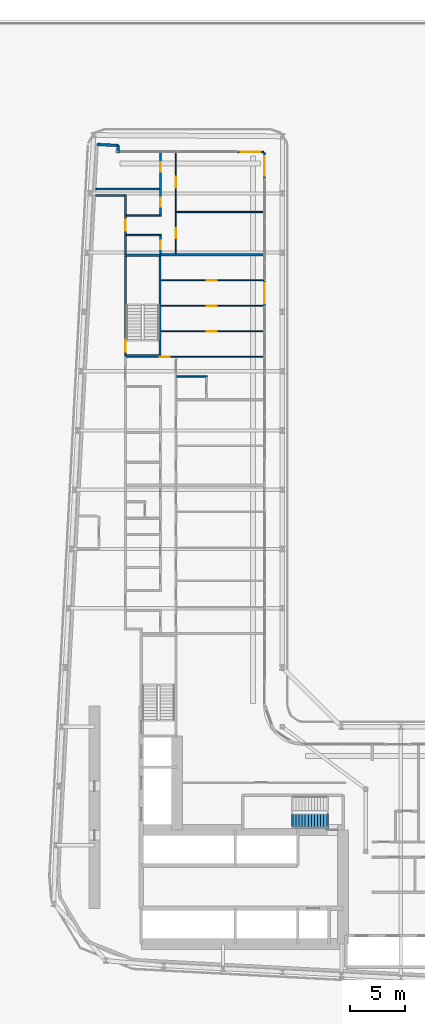
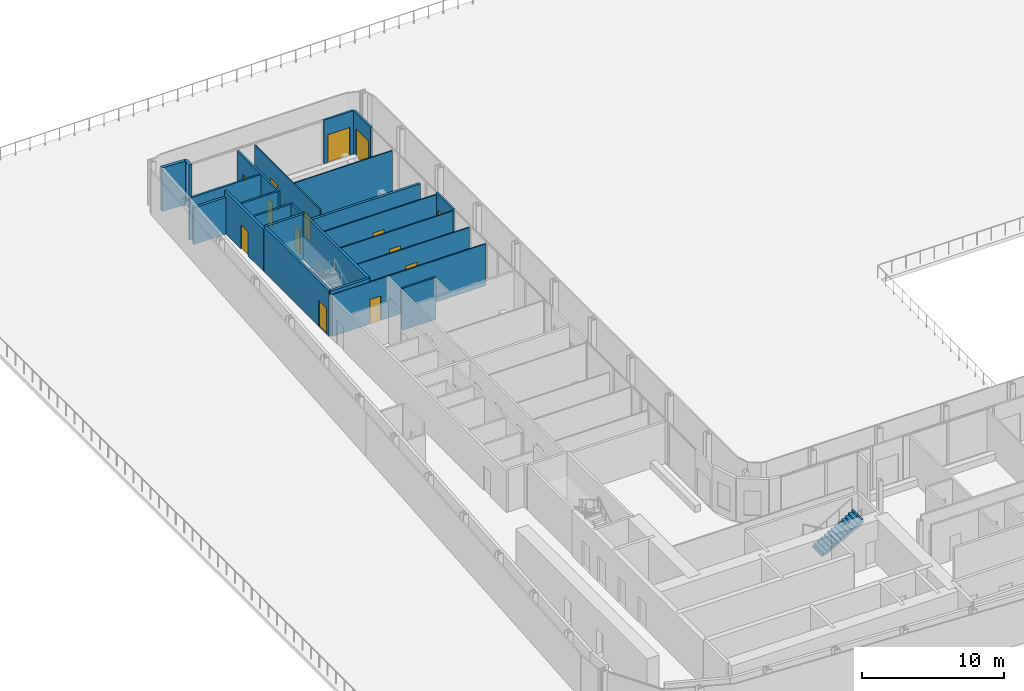
# One storey, part 18 of 27: 24 walls, 14 doors, 1 stair flight, 14 openings, 1 element without a shape of its own.
"""IFC4 building model written with IfcOpenShell, lengths in metres."""

from ifc_helpers import new_model, si_unit, direction, frame, frame_2d, origin, place, context, subcontext, project, spatial, polyline, rectangle, outline, extrude, source, transform, mapped, material, layer, layer_set, type_object, element, fill, aggregate, save


model = new_model("IFC4")

# Units and contexts
model_context = context("Model", 3, precision=1e-05, world=origin(), true_north=direction((0.0, 1.0)))
body_context = subcontext(model_context, "Body", "Model", "MODEL_VIEW")
ifc_project = project(units=[si_unit("LENGTHUNIT", "METRE"), si_unit("AREAUNIT", "SQUARE_METRE"), si_unit("VOLUMEUNIT", "CUBIC_METRE"), si_unit("PLANEANGLEUNIT", "RADIAN"), si_unit("MASSUNIT", "GRAM", prefix="KILO")], contexts=[model_context])

# Site, building, storey
site_placement = place(None, origin())
site = spatial("IfcSite", under=ifc_project, at=site_placement, CompositionType="ELEMENT")
building_placement = place(site_placement, origin())
building = spatial("IfcBuilding", under=site, at=building_placement, Name="Kheshtan School and Residences Tower", CompositionType="ELEMENT")
storey_placement = place(building_placement, frame((0.0, 0.0, 30.5)))
storey = spatial("IfcBuildingStorey", under=building, at=storey_placement, Name="L06", CompositionType="ELEMENT", Elevation=30.5)

# Wall
ifc_material_1 = material(Name="Gypsum board on steel studs with fire boards", Category="steel")
ifc_layer_1 = layer(ifc_material_1, 0.199951171875)
ifc_layer_set_1 = layer_set([ifc_layer_1], Name="Corridor wall 200")
wall_type_1 = type_object("IfcWallType", Name="Corridor wall 200", PredefinedType="PARTITIONING", material=ifc_layer_set_1)
wall_1_placement = place(storey_placement, frame((30.584716796875, 94.0, 0.0), z_axis=(0.0, 0.0, 1.0), x_axis=(1.0, 0.0, 0.0)))
element("IfcWall", 1, at=wall_1_placement, inside=storey, type_object=wall_type_1, Name="Partition L06-002", PredefinedType="PARTITIONING", context=body_context, shape_type="SweptSolid", body=[
    extrude(rectangle(XDim=2.615234375, YDim=0.199951171875, at=frame_2d((1.3076171875, 0.0))), origin(), (0.0, 0.0, 1.0), 3.14697265625),
])

# Wall, opening, door
wall_2_placement = place(storey_placement, frame((33.300048828125, 88.60009765625, 0.0), z_axis=(0.0, 0.0, 1.0), x_axis=(0.0, 1.0, 0.0)))
wall_2 = element("IfcWall", 2, at=wall_2_placement, inside=storey, type_object=wall_type_1, Name="Partition L06-004", PredefinedType="PARTITIONING", context=body_context, shape_type="SweptSolid", body=[
    extrude(rectangle(XDim=5.5, YDim=0.199951171875, at=frame_2d((2.75, 0.0))), origin(), (0.0, 0.0, 1.0), 3.60009765625),
])
opening_1_placement = place(wall_2_placement, frame((2.199951171875, 0.0, 0.0)))
opening_1 = element("IfcOpeningElement", 3, at=opening_1_placement, cuts=wall_2, Name="Opening D06-051", PredefinedType="OPENING", context=body_context, shape_type="SweptSolid", body=[
    extrude(rectangle(XDim=1.0, YDim=2.10009765625, at=frame_2d((0.5, 1.050048828125))), frame((0.0, 0.10986328125, 0.0), z_axis=(0.0, -1.0, 0.0), x_axis=(1.0, 0.0, 0.0)), (0.0, 0.0, 1.0), 0.219970703125),
])
ifc_material_2 = material(Name="Steel-framed fire-resisting door leaf", Category="steel")
door_type_1 = type_object("IfcDoorType", Name="Fire door FD30S 1000 x 2100", OperationType="SINGLE_SWING_LEFT", PredefinedType="DOOR", material=ifc_material_2)
shared_shape_1 = source(origin(), body_context, "Body", "SweptSolid", [
    extrude(rectangle(XDim=1.0, YDim=2.10009765625, at=frame_2d((0.5, 1.050048828125))), frame((0.0, 0.02490234375, 0.0), z_axis=(0.0, -1.0, 0.0), x_axis=(1.0, 0.0, 0.0)), (0.0, 0.0, 1.0), 0.050048828125),
])
door_1_placement = place(opening_1_placement, origin())
door_1 = element("IfcDoor", 4, at=door_1_placement, inside=storey, type_object=door_type_1, Name="Door D06-051", OperationType="SINGLE_SWING_LEFT", OverallHeight=2.10009765625, OverallWidth=1.0, PredefinedType="DOOR", context=body_context, shape_type="MappedRepresentation", body=[
    mapped(shared_shape_1, transform((0.0, 0.0, 0.0), x_axis=(1.0, 0.0, 0.0), y_axis=(0.0, 1.0, 0.0), z_axis=(0.0, 0.0, 1.0), scale=1.0)),
])
fill(opening_1, door_1)

# Walls
ifc_material_3 = material(Name="Concrete C40/50 with ceramic cladding and mineral wool insulation", Category="concrete")
ifc_layer_2 = layer(ifc_material_3, 0.25)
ifc_layer_set_2 = layer_set([ifc_layer_2], Name="External wall 250 ceramic clad")
wall_type_2 = type_object("IfcWallType", Name="External wall 250 ceramic clad", PredefinedType="SOLIDWALL", material=ifc_layer_set_2)
wall_3_placement = place(storey_placement, frame((30.705078125, 98.6640625, 0.0), z_axis=(0.0, 0.0, 1.0), x_axis=(0.998577785791, -0.053314216913, 0.0)))
element("IfcWall", 5, at=wall_3_placement, inside=storey, type_object=wall_type_2, Name="External wall L06 5", PredefinedType="SOLIDWALL", context=body_context, shape_type="SweptSolid", body=[
    extrude(rectangle(XDim=1.95068359375, YDim=0.25, at=frame_2d((0.975341796875, 0.0))), origin(), (0.0, 0.0, 1.0), 3.75),
])
wall_4_placement = place(storey_placement, frame((32.653076171875, 98.56005859375, 0.0), z_axis=(0.0, 0.0, 1.0), x_axis=(-0.054093451632, -0.998535877418, 0.0)))
element("IfcWall", 6, at=wall_4_placement, inside=storey, type_object=wall_type_2, Name="External wall L06 6", PredefinedType="SOLIDWALL", context=body_context, shape_type="SweptSolid", body=[
    extrude(rectangle(XDim=0.66796875, YDim=0.25, at=frame_2d((0.333984375, 0.0))), origin(), (0.0, 0.0, 1.0), 3.75),
])

# Wall, opening, door
ifc_material_4 = material(Name="Aluminium frame wall with insulated infill", Category="aluminium")
ifc_layer_3 = layer(ifc_material_4, 0.14990234375)
ifc_layer_set_3 = layer_set([ifc_layer_3], Name="Glazing frame wall 150")
wall_type_3 = type_object("IfcWallType", Name="Glazing frame wall 150", PredefinedType="SOLIDWALL", material=ifc_layer_set_3)
wall_5_placement = place(storey_placement, frame((43.5, 97.97509765625, 0.0), z_axis=(0.0, 0.0, 1.0), x_axis=(1.0, 0.0, 0.0)))
wall_5 = element("IfcWall", 7, at=wall_5_placement, inside=storey, type_object=wall_type_3, Name="Balcony door wall L06 7.1", PredefinedType="SOLIDWALL", context=body_context, shape_type="SweptSolid", body=[
    extrude(rectangle(XDim=2.39990234375, YDim=0.14990234375, at=frame_2d((1.199951171875, 0.0))), origin(), (0.0, 0.0, 1.0), 3.75),
])
opening_2_placement = place(wall_5_placement, frame((0.300048828125, 0.0, 0.0)))
opening_2 = element("IfcOpeningElement", 8, at=opening_2_placement, cuts=wall_5, Name="Opening BD", PredefinedType="OPENING", context=body_context, shape_type="SweptSolid", body=[
    extrude(rectangle(XDim=1.800048828125, YDim=2.39990234375, at=frame_2d((0.89990234375, 1.199951171875))), frame((0.0, 0.0849609375, 0.0), z_axis=(0.0, -1.0, 0.0), x_axis=(1.0, 0.0, 0.0)), (0.0, 0.0, 1.0), 0.169921875),
])
ifc_material_5 = material(Name="Clear low-e glass in thermally broken aluminium frame", Category="aluminium")
door_type_2 = type_object("IfcDoorType", Name="Balcony sliding door", OperationType="SLIDING_TO_LEFT", PredefinedType="DOOR", material=ifc_material_5)
shared_shape_2 = source(origin(), body_context, "Body", "SweptSolid", [
    extrude(rectangle(XDim=1.800048828125, YDim=2.39990234375, at=frame_2d((0.89990234375, 1.199951171875))), frame((0.0, 0.02490234375, 0.0), z_axis=(0.0, -1.0, 0.0), x_axis=(1.0, 0.0, 0.0)), (0.0, 0.0, 1.0), 0.050048828125),
])
door_2_placement = place(opening_2_placement, origin())
door_2 = element("IfcDoor", 9, at=door_2_placement, inside=storey, type_object=door_type_2, Name="Balcony door L06 7.1", OperationType="SLIDING_TO_LEFT", OverallHeight=2.39990234375, OverallWidth=1.800048828125, PredefinedType="DOOR", context=body_context, shape_type="MappedRepresentation", body=[
    mapped(shared_shape_2, transform((0.0, 0.0, 0.0), x_axis=(1.0, 0.0, 0.0), y_axis=(0.0, 1.0, 0.0), z_axis=(0.0, 0.0, 1.0), scale=1.0)),
])
fill(opening_2, door_2)

wall_6_placement = place(storey_placement, frame((45.97509765625, 97.89990234375, 0.0), z_axis=(0.0, 0.0, 1.0), x_axis=(0.0, -1.0, 0.0)))
wall_6 = element("IfcWall", 10, at=wall_6_placement, inside=storey, type_object=wall_type_3, Name="Balcony door wall L06 8.1", PredefinedType="SOLIDWALL", context=body_context, shape_type="SweptSolid", body=[
    extrude(rectangle(XDim=2.39990234375, YDim=0.14990234375, at=frame_2d((1.199951171875, 0.0))), origin(), (0.0, 0.0, 1.0), 3.75),
])
opening_3_placement = place(wall_6_placement, frame((0.300048828125, 0.0, 0.0)))
opening_3 = element("IfcOpeningElement", 11, at=opening_3_placement, cuts=wall_6, Name="Opening BD", PredefinedType="OPENING", context=body_context, shape_type="SweptSolid", body=[
    extrude(rectangle(XDim=1.800048828125, YDim=2.39990234375, at=frame_2d((0.89990234375, 1.199951171875))), frame((0.0, 0.0849609375, 0.0), z_axis=(0.0, -1.0, 0.0), x_axis=(1.0, 0.0, 0.0)), (0.0, 0.0, 1.0), 0.169921875),
])
door_3_placement = place(opening_3_placement, origin())
door_3 = element("IfcDoor", 12, at=door_3_placement, inside=storey, type_object=door_type_2, Name="Balcony door L06 8.1", OperationType="SLIDING_TO_LEFT", OverallHeight=2.39990234375, OverallWidth=1.800048828125, PredefinedType="DOOR", context=body_context, shape_type="MappedRepresentation", body=[
    mapped(shared_shape_2, transform((0.0, 0.0, 0.0), x_axis=(1.0, 0.0, 0.0), y_axis=(0.0, 1.0, 0.0), z_axis=(0.0, 0.0, 1.0), scale=1.0)),
])
fill(opening_3, door_3)

wall_7_placement = place(storey_placement, frame((45.97509765625, 86.305908203125, 0.0), z_axis=(0.0, 0.0, 1.0), x_axis=(0.0, -1.0, 0.0)))
wall_7 = element("IfcWall", 13, at=wall_7_placement, inside=storey, type_object=wall_type_3, Name="Balcony door wall L06 8.2", PredefinedType="SOLIDWALL", context=body_context, shape_type="SweptSolid", body=[
    extrude(rectangle(XDim=2.39990234375, YDim=0.14990234375, at=frame_2d((1.199951171875, 0.0))), origin(), (0.0, 0.0, 1.0), 3.75),
])
opening_4_placement = place(wall_7_placement, frame((0.300048828125, 0.0, 0.0)))
opening_4 = element("IfcOpeningElement", 14, at=opening_4_placement, cuts=wall_7, Name="Opening BD", PredefinedType="OPENING", context=body_context, shape_type="SweptSolid", body=[
    extrude(rectangle(XDim=1.800048828125, YDim=2.39990234375, at=frame_2d((0.89990234375, 1.199951171875))), frame((0.0, 0.0849609375, 0.0), z_axis=(0.0, -1.0, 0.0), x_axis=(1.0, 0.0, 0.0)), (0.0, 0.0, 1.0), 0.169921875),
])
door_4_placement = place(opening_4_placement, origin())
door_4 = element("IfcDoor", 15, at=door_4_placement, inside=storey, type_object=door_type_2, Name="Balcony door L06 8.2", OperationType="SLIDING_TO_LEFT", OverallHeight=2.39990234375, OverallWidth=1.800048828125, PredefinedType="DOOR", context=body_context, shape_type="MappedRepresentation", body=[
    mapped(shared_shape_2, transform((0.0, 0.0, 0.0), x_axis=(1.0, 0.0, 0.0), y_axis=(0.0, 1.0, 0.0), z_axis=(0.0, 0.0, 1.0), scale=1.0)),
])
fill(opening_4, door_4)

ifc_material_6 = material(Name="Gypsum board on steel studs", Category="steel")
ifc_layer_4 = layer(ifc_material_6, 0.10009765625)
ifc_layer_set_4 = layer_set([ifc_layer_4], Name="Gypsum partition 100")
wall_type_4 = type_object("IfcWallType", Name="Gypsum partition 100", PredefinedType="PARTITIONING", material=ifc_layer_set_4)
wall_8_placement = place(storey_placement, frame((33.39990234375, 79.300048828125, 0.0), z_axis=(0.0, 0.0, 1.0), x_axis=(1.0, 0.0, 0.0)))
wall_8 = element("IfcWall", 16, at=wall_8_placement, inside=storey, type_object=wall_type_4, Name="Partition L06-016", PredefinedType="PARTITIONING", context=body_context, shape_type="SweptSolid", body=[
    extrude(rectangle(XDim=12.5, YDim=0.10009765625, at=frame_2d((6.25, 0.0))), origin(), (0.0, 0.0, 1.0), 3.60009765625),
])
opening_5_placement = place(wall_8_placement, frame((3.052978515625, 0.0, 0.0)))
opening_5 = element("IfcOpeningElement", 17, at=opening_5_placement, cuts=wall_8, Name="Opening D06-045", PredefinedType="OPENING", context=body_context, shape_type="SweptSolid", body=[
    extrude(rectangle(XDim=0.89990234375, YDim=2.10009765625, at=frame_2d((0.449951171875, 1.050048828125))), frame((0.0, 0.06005859375, 0.0), z_axis=(0.0, -1.0, 0.0), x_axis=(1.0, 0.0, 0.0)), (0.0, 0.0, 1.0), 0.1201171875),
])
ifc_material_7 = material(Name="Veneered timber door leaf", Category="wood")
door_type_3 = type_object("IfcDoorType", Name="Door 900 x 2100", OperationType="SINGLE_SWING_LEFT", PredefinedType="DOOR", material=ifc_material_7)
shared_shape_3 = source(origin(), body_context, "Body", "SweptSolid", [
    extrude(rectangle(XDim=0.89990234375, YDim=2.10009765625, at=frame_2d((0.449951171875, 1.050048828125))), frame((0.0, 0.02490234375, 0.0), z_axis=(0.0, -1.0, 0.0), x_axis=(1.0, 0.0, 0.0)), (0.0, 0.0, 1.0), 0.050048828125),
])
door_5_placement = place(opening_5_placement, origin())
door_5 = element("IfcDoor", 18, at=door_5_placement, inside=storey, type_object=door_type_3, Name="Door D06-045", OperationType="SINGLE_SWING_LEFT", OverallHeight=2.10009765625, OverallWidth=0.89990234375, PredefinedType="DOOR", context=body_context, shape_type="MappedRepresentation", body=[
    mapped(shared_shape_3, transform((0.0, 0.0, 0.0), x_axis=(1.0, 0.0, 0.0), y_axis=(0.0, 1.0, 0.0), z_axis=(0.0, 0.0, 1.0), scale=1.0)),
])
fill(opening_5, door_5)

wall_9_placement = place(storey_placement, frame((36.549072265625, 81.625, 0.0), z_axis=(0.0, 0.0, 1.0), x_axis=(1.0, 0.0, 0.0)))
wall_9 = element("IfcWall", 19, at=wall_9_placement, inside=storey, type_object=wall_type_4, Name="Partition L06-029", PredefinedType="PARTITIONING", context=body_context, shape_type="SweptSolid", body=[
    extrude(rectangle(XDim=9.350830078125, YDim=0.10009765625, at=frame_2d((4.67529296875, 0.0))), origin(), (0.0, 0.0, 1.0), 3.60009765625),
])
opening_6_placement = place(wall_9_placement, frame((4.176025390625, 0.0, 0.0)))
opening_6 = element("IfcOpeningElement", 20, at=opening_6_placement, cuts=wall_9, Name="Opening D06-046", PredefinedType="OPENING", context=body_context, shape_type="SweptSolid", body=[
    extrude(rectangle(XDim=0.89990234375, YDim=2.10009765625, at=frame_2d((0.449951171875, 1.050048828125))), frame((0.0, 0.06005859375, 0.0), z_axis=(0.0, -1.0, 0.0), x_axis=(1.0, 0.0, 0.0)), (0.0, 0.0, 1.0), 0.1201171875),
])
door_6_placement = place(opening_6_placement, origin())
door_6 = element("IfcDoor", 21, at=door_6_placement, inside=storey, type_object=door_type_3, Name="Door D06-046", OperationType="SINGLE_SWING_RIGHT", OverallHeight=2.10009765625, OverallWidth=0.89990234375, PredefinedType="DOOR", context=body_context, shape_type="MappedRepresentation", body=[
    mapped(shared_shape_3, transform((0.0, 0.0, 0.0), x_axis=(1.0, 0.0, 0.0), y_axis=(0.0, 1.0, 0.0), z_axis=(0.0, 0.0, 1.0), scale=1.0)),
])
fill(opening_6, door_6)

wall_10_placement = place(storey_placement, frame((36.549072265625, 83.949951171875, 0.0), z_axis=(0.0, 0.0, 1.0), x_axis=(1.0, 0.0, 0.0)))
wall_10 = element("IfcWall", 22, at=wall_10_placement, inside=storey, type_object=wall_type_4, Name="Partition L06-030", PredefinedType="PARTITIONING", context=body_context, shape_type="SweptSolid", body=[
    extrude(rectangle(XDim=9.350830078125, YDim=0.10009765625, at=frame_2d((4.67529296875, 0.0))), origin(), (0.0, 0.0, 1.0), 3.60009765625),
])
opening_7_placement = place(wall_10_placement, frame((4.176025390625, 0.0, 0.0)))
opening_7 = element("IfcOpeningElement", 23, at=opening_7_placement, cuts=wall_10, Name="Opening D06-047", PredefinedType="OPENING", context=body_context, shape_type="SweptSolid", body=[
    extrude(rectangle(XDim=0.89990234375, YDim=2.10009765625, at=frame_2d((0.449951171875, 1.050048828125))), frame((0.0, 0.06005859375, 0.0), z_axis=(0.0, -1.0, 0.0), x_axis=(1.0, 0.0, 0.0)), (0.0, 0.0, 1.0), 0.1201171875),
])
door_7_placement = place(opening_7_placement, origin())
door_7 = element("IfcDoor", 24, at=door_7_placement, inside=storey, type_object=door_type_3, Name="Door D06-047", OperationType="SINGLE_SWING_RIGHT", OverallHeight=2.10009765625, OverallWidth=0.89990234375, PredefinedType="DOOR", context=body_context, shape_type="MappedRepresentation", body=[
    mapped(shared_shape_3, transform((0.0, 0.0, 0.0), x_axis=(1.0, 0.0, 0.0), y_axis=(0.0, 1.0, 0.0), z_axis=(0.0, 0.0, 1.0), scale=1.0)),
])
fill(opening_7, door_7)

wall_11_placement = place(storey_placement, frame((36.549072265625, 86.27490234375, 0.0), z_axis=(0.0, 0.0, 1.0), x_axis=(1.0, 0.0, 0.0)))
wall_11 = element("IfcWall", 25, at=wall_11_placement, inside=storey, type_object=wall_type_4, Name="Partition L06-031", PredefinedType="PARTITIONING", context=body_context, shape_type="SweptSolid", body=[
    extrude(rectangle(XDim=9.350830078125, YDim=0.10009765625, at=frame_2d((4.67529296875, 0.0))), origin(), (0.0, 0.0, 1.0), 3.60009765625),
])
opening_8_placement = place(wall_11_placement, frame((4.176025390625, 0.0, 0.0)))
opening_8 = element("IfcOpeningElement", 26, at=opening_8_placement, cuts=wall_11, Name="Opening D06-048", PredefinedType="OPENING", context=body_context, shape_type="SweptSolid", body=[
    extrude(rectangle(XDim=0.89990234375, YDim=2.10009765625, at=frame_2d((0.449951171875, 1.050048828125))), frame((0.0, 0.06005859375, 0.0), z_axis=(0.0, -1.0, 0.0), x_axis=(1.0, 0.0, 0.0)), (0.0, 0.0, 1.0), 0.1201171875),
])
door_8_placement = place(opening_8_placement, origin())
door_8 = element("IfcDoor", 27, at=door_8_placement, inside=storey, type_object=door_type_3, Name="Door D06-048", OperationType="SINGLE_SWING_RIGHT", OverallHeight=2.10009765625, OverallWidth=0.89990234375, PredefinedType="DOOR", context=body_context, shape_type="MappedRepresentation", body=[
    mapped(shared_shape_3, transform((0.0, 0.0, 0.0), x_axis=(1.0, 0.0, 0.0), y_axis=(0.0, 1.0, 0.0), z_axis=(0.0, 0.0, 1.0), scale=1.0)),
])
fill(opening_8, door_8)

# Wall, openings, doors
wall_12_placement = place(storey_placement, frame((37.89990234375, 88.699951171875, 0.0), z_axis=(0.0, 0.0, 1.0), x_axis=(0.0, 1.0, 0.0)))
wall_12 = element("IfcWall", 28, at=wall_12_placement, inside=storey, type_object=wall_type_4, Name="Partition L06-034", PredefinedType="PARTITIONING", context=body_context, shape_type="SweptSolid", body=[
    extrude(rectangle(XDim=9.199951171875, YDim=0.10009765625, at=frame_2d((4.60009765625, 0.0))), origin(), (0.0, 0.0, 1.0), 3.60009765625),
])
opening_9_placement = place(wall_12_placement, frame((1.39990234375, 0.0, 0.0)))
opening_9 = element("IfcOpeningElement", 29, at=opening_9_placement, cuts=wall_12, Name="Opening D06-050", PredefinedType="OPENING", context=body_context, shape_type="SweptSolid", body=[
    extrude(rectangle(XDim=0.89990234375, YDim=2.10009765625, at=frame_2d((0.449951171875, 1.050048828125))), frame((0.0, 0.06005859375, 0.0), z_axis=(0.0, -1.0, 0.0), x_axis=(1.0, 0.0, 0.0)), (0.0, 0.0, 1.0), 0.1201171875),
])
opening_10_placement = place(wall_12_placement, frame((6.0, 0.0, 0.0)))
opening_10 = element("IfcOpeningElement", 30, at=opening_10_placement, cuts=wall_12, Name="Opening D06-053", PredefinedType="OPENING", context=body_context, shape_type="SweptSolid", body=[
    extrude(rectangle(XDim=1.0, YDim=2.10009765625, at=frame_2d((0.5, 1.050048828125))), frame((0.0, 0.06005859375, 0.0), z_axis=(0.0, -1.0, 0.0), x_axis=(1.0, 0.0, 0.0)), (0.0, 0.0, 1.0), 0.1201171875),
])
door_type_4 = type_object("IfcDoorType", Name="Door 1000 x 2100", OperationType="SINGLE_SWING_LEFT", PredefinedType="DOOR", material=ifc_material_7)
shared_shape_4 = source(origin(), body_context, "Body", "SweptSolid", [
    extrude(rectangle(XDim=1.0, YDim=2.10009765625, at=frame_2d((0.5, 1.050048828125))), frame((0.0, 0.02490234375, 0.0), z_axis=(0.0, -1.0, 0.0), x_axis=(1.0, 0.0, 0.0)), (0.0, 0.0, 1.0), 0.050048828125),
])
door_9_placement = place(opening_10_placement, origin())
door_9 = element("IfcDoor", 31, at=door_9_placement, inside=storey, type_object=door_type_4, Name="Door D06-053", OperationType="SINGLE_SWING_RIGHT", OverallHeight=2.10009765625, OverallWidth=1.0, PredefinedType="DOOR", context=body_context, shape_type="MappedRepresentation", body=[
    mapped(shared_shape_4, transform((0.0, 0.0, 0.0), x_axis=(1.0, 0.0, 0.0), y_axis=(0.0, 1.0, 0.0), z_axis=(0.0, 0.0, 1.0), scale=1.0)),
])
fill(opening_10, door_9)
door_10_placement = place(opening_9_placement, origin())
door_10 = element("IfcDoor", 32, at=door_10_placement, inside=storey, type_object=door_type_3, Name="Door D06-050", OperationType="SINGLE_SWING_LEFT", OverallHeight=2.10009765625, OverallWidth=0.89990234375, PredefinedType="DOOR", context=body_context, shape_type="MappedRepresentation", body=[
    mapped(shared_shape_3, transform((0.0, 0.0, 0.0), x_axis=(1.0, 0.0, 0.0), y_axis=(0.0, 1.0, 0.0), z_axis=(0.0, 0.0, 1.0), scale=1.0)),
])
fill(opening_9, door_10)

# Walls
wall_13_placement = place(storey_placement, frame((37.949951171875, 92.5, 0.0), z_axis=(0.0, 0.0, 1.0), x_axis=(1.0, 0.0, 0.0)))
element("IfcWall", 33, at=wall_13_placement, inside=storey, type_object=wall_type_4, Name="Partition L06-035", PredefinedType="PARTITIONING", context=body_context, shape_type="SweptSolid", body=[
    extrude(rectangle(XDim=7.949951171875, YDim=0.10009765625, at=frame_2d((3.97509765625, 0.0))), origin(), (0.0, 0.0, 1.0), 3.60009765625),
])
ifc_material_8 = material(Name="Concrete C40/50", Category="concrete")
ifc_layer_5 = layer(ifc_material_8, 0.199951171875)
ifc_layer_set_5 = layer_set([ifc_layer_5], Name="Stair enclosure wall 200 Concrete C40/50")
wall_type_5 = type_object("IfcWallType", Name="Stair enclosure wall 200 Concrete C40/50", PredefinedType="SHEAR", material=ifc_layer_set_5)
for number, where, z_axis, x_axis, name in (
    (34, (33.300048828125, 79.39990234375, 0.0), (0.0, 0.0, 1.0), (1.0, 0.0, 0.0), "Stair enclosure wall ST3"),
    (35, (33.300048828125, 88.56005859375, 0.0), (0.0, 0.0, 1.0), (1.0, 0.0, 0.0), "Stair enclosure wall ST3"),
):
    element("IfcWall", number, at=place(storey_placement, frame(where, z_axis=z_axis, x_axis=x_axis)), inside=storey, type_object=wall_type_5, Name=name, PredefinedType="SHEAR", context=body_context, shape_type="SweptSolid", body=[
        extrude(rectangle(XDim=3.14990234375, YDim=0.199951171875, at=frame_2d((1.574951171875, 0.0))), origin(), (0.0, 0.0, 1.0), 3.89990234375),
    ])

# Wall, opening, door
wall_14_placement = place(storey_placement, frame((33.300048828125, 79.39990234375, 0.0), z_axis=(0.0, 0.0, 1.0), x_axis=(0.0, 1.0, 0.0)))
wall_14 = element("IfcWall", 36, at=wall_14_placement, inside=storey, type_object=wall_type_5, Name="Stair enclosure wall ST3", PredefinedType="SHEAR", context=body_context, shape_type="SweptSolid", body=[
    extrude(rectangle(XDim=9.16015625, YDim=0.199951171875, at=frame_2d((4.580078125, 0.0))), origin(), (0.0, 0.0, 1.0), 3.89990234375),
])
opening_11_placement = place(wall_14_placement, frame((0.35009765625, 0.0, 0.0)))
opening_11 = element("IfcOpeningElement", 37, at=opening_11_placement, cuts=wall_14, Name="Opening ST3D", PredefinedType="OPENING", context=body_context, shape_type="SweptSolid", body=[
    extrude(rectangle(XDim=1.10009765625, YDim=2.199951171875, at=frame_2d((0.550048828125, 1.10009765625))), frame((0.0, 0.10986328125, 0.0), z_axis=(0.0, -1.0, 0.0), x_axis=(1.0, 0.0, 0.0)), (0.0, 0.0, 1.0), 0.219970703125),
])
ifc_material_9 = material(Name="Steel door leaf, galvanised", Category="steel")
door_type_5 = type_object("IfcDoorType", Name="Stair door 1100 steel 90 min", OperationType="SINGLE_SWING_LEFT", PredefinedType="DOOR", material=ifc_material_9)
shared_shape_5 = source(origin(), body_context, "Body", "SweptSolid", [
    extrude(rectangle(XDim=1.10009765625, YDim=2.199951171875, at=frame_2d((0.550048828125, 1.10009765625))), frame((0.0, 0.02490234375, 0.0), z_axis=(0.0, -1.0, 0.0), x_axis=(1.0, 0.0, 0.0)), (0.0, 0.0, 1.0), 0.050048828125),
])
door_11_placement = place(opening_11_placement, origin())
door_11 = element("IfcDoor", 38, at=door_11_placement, inside=storey, type_object=door_type_5, Name="Stair ST3 door", OperationType="SINGLE_SWING_RIGHT", OverallHeight=2.199951171875, OverallWidth=1.10009765625, PredefinedType="DOOR", context=body_context, shape_type="MappedRepresentation", body=[
    mapped(shared_shape_5, transform((0.0, 0.0, 0.0), x_axis=(1.0, 0.0, 0.0), y_axis=(0.0, 1.0, 0.0), z_axis=(0.0, 0.0, 1.0), scale=1.0)),
])
fill(opening_11, door_11)

# Walls
wall_15_placement = place(storey_placement, frame((36.449951171875, 79.39990234375, 0.0), z_axis=(0.0, 0.0, 1.0), x_axis=(0.0, 1.0, 0.0)))
element("IfcWall", 39, at=wall_15_placement, inside=storey, type_object=wall_type_5, Name="Stair enclosure wall ST3", PredefinedType="SHEAR", context=body_context, shape_type="SweptSolid", body=[
    extrude(rectangle(XDim=9.16015625, YDim=0.199951171875, at=frame_2d((4.580078125, 0.0))), origin(), (0.0, 0.0, 1.0), 3.89990234375),
])
ifc_material_10 = material(Name="Twin gypsum board on steel studs with mineral wool", Category="steel")
ifc_layer_6 = layer(ifc_material_10, 0.199951171875)
ifc_layer_set_6 = layer_set([ifc_layer_6], Name="Unit demising wall 200")
wall_type_6 = type_object("IfcWallType", Name="Unit demising wall 200", PredefinedType="PARTITIONING", material=ifc_layer_set_6)
wall_16_placement = place(storey_placement, frame((36.425048828125, 88.60009765625, 0.0), z_axis=(0.0, 0.0, 1.0), x_axis=(1.0, 0.0, 0.0)))
element("IfcWall", 40, at=wall_16_placement, inside=storey, type_object=wall_type_6, Name="Partition L06-022", PredefinedType="PARTITIONING", context=body_context, shape_type="SweptSolid", body=[
    extrude(rectangle(XDim=9.474853515625, YDim=0.199951171875, at=frame_2d((4.7373046875, 0.0))), origin(), (0.0, 0.0, 1.0), 3.14697265625),
])
ifc_material_11 = material(Name="Moisture-resistant gypsum board on steel studs", Category="steel")
ifc_layer_7 = layer(ifc_material_11, 0.14990234375)
ifc_layer_set_7 = layer_set([ifc_layer_7], Name="Wet-room partition 150")
wall_type_7 = type_object("IfcWallType", Name="Wet-room partition 150", PredefinedType="PARTITIONING", material=ifc_layer_set_7)
wall_17_placement = place(storey_placement, frame((30.616943359375, 94.60009765625, 0.0), z_axis=(0.0, 0.0, 1.0), x_axis=(1.0, 0.0, 0.0)))
element("IfcWall", 41, at=wall_17_placement, inside=storey, type_object=wall_type_7, Name="Partition L06-001", PredefinedType="PARTITIONING", context=body_context, shape_type="SweptSolid", body=[
    extrude(rectangle(XDim=5.80810546875, YDim=0.14990234375, at=frame_2d((2.904052734375, 0.0))), origin(), (0.0, 0.0, 1.0), 3.60009765625),
])
wall_18_placement = place(storey_placement, frame((33.39990234375, 90.39990234375, 0.0), z_axis=(0.0, 0.0, 1.0), x_axis=(1.0, 0.0, 0.0)))
element("IfcWall", 42, at=wall_18_placement, inside=storey, type_object=wall_type_7, Name="Partition L06-017", PredefinedType="PARTITIONING", context=body_context, shape_type="SweptSolid", body=[
    extrude(rectangle(XDim=3.175048828125, YDim=0.14990234375, at=frame_2d((1.58740234375, 0.0))), origin(), (0.0, 0.0, 1.0), 3.60009765625),
])
wall_19_placement = place(storey_placement, frame((33.39990234375, 92.199951171875, 0.0), z_axis=(0.0, 0.0, 1.0), x_axis=(1.0, 0.0, 0.0)))
element("IfcWall", 43, at=wall_19_placement, inside=storey, type_object=wall_type_7, Name="Partition L06-018", PredefinedType="PARTITIONING", context=body_context, shape_type="SweptSolid", body=[
    extrude(rectangle(XDim=3.025146484375, YDim=0.14990234375, at=frame_2d((1.5126953125, 0.0))), origin(), (0.0, 0.0, 1.0), 3.60009765625),
])

# Wall, opening, door
wall_20_placement = place(storey_placement, frame((36.5, 88.699951171875, 0.0), z_axis=(0.0, 0.0, 1.0), x_axis=(0.0, 1.0, 0.0)))
wall_20 = element("IfcWall", 44, at=wall_20_placement, inside=storey, type_object=wall_type_7, Name="Partition L06-027", PredefinedType="PARTITIONING", context=body_context, shape_type="SweptSolid", body=[
    extrude(rectangle(XDim=1.625, YDim=0.14990234375, at=frame_2d((0.8125, 0.0))), origin(), (0.0, 0.0, 1.0), 3.60009765625),
])
opening_12_placement = place(wall_20_placement, frame((0.39990234375, 0.0, 0.0)))
opening_12 = element("IfcOpeningElement", 45, at=opening_12_placement, cuts=wall_20, Name="Opening D06-054", PredefinedType="OPENING", context=body_context, shape_type="SweptSolid", body=[
    extrude(rectangle(XDim=0.800048828125, YDim=2.10009765625, at=frame_2d((0.39990234375, 1.050048828125))), frame((0.0, 0.0849609375, 0.0), z_axis=(0.0, -1.0, 0.0), x_axis=(1.0, 0.0, 0.0)), (0.0, 0.0, 1.0), 0.169921875),
])
door_type_6 = type_object("IfcDoorType", Name="Door 800 x 2100", OperationType="SINGLE_SWING_LEFT", PredefinedType="DOOR", material=ifc_material_7)
shared_shape_6 = source(origin(), body_context, "Body", "SweptSolid", [
    extrude(rectangle(XDim=0.800048828125, YDim=2.10009765625, at=frame_2d((0.39990234375, 1.050048828125))), frame((0.0, 0.02490234375, 0.0), z_axis=(0.0, -1.0, 0.0), x_axis=(1.0, 0.0, 0.0)), (0.0, 0.0, 1.0), 0.050048828125),
])
door_12_placement = place(opening_12_placement, origin())
door_12 = element("IfcDoor", 46, at=door_12_placement, inside=storey, type_object=door_type_6, Name="Door D06-054", OperationType="SINGLE_SWING_RIGHT", OverallHeight=2.10009765625, OverallWidth=0.800048828125, PredefinedType="DOOR", context=body_context, shape_type="MappedRepresentation", body=[
    mapped(shared_shape_6, transform((0.0, 0.0, 0.0), x_axis=(1.0, 0.0, 0.0), y_axis=(0.0, 1.0, 0.0), z_axis=(0.0, 0.0, 1.0), scale=1.0)),
])
fill(opening_12, door_12)

# Wall, openings, doors
wall_21_placement = place(storey_placement, frame((36.5, 92.125, 0.0), z_axis=(0.0, 0.0, 1.0), x_axis=(0.0, 1.0, 0.0)))
wall_21 = element("IfcWall", 47, at=wall_21_placement, inside=storey, type_object=wall_type_7, Name="Partition L06-028", PredefinedType="PARTITIONING", context=body_context, shape_type="SweptSolid", body=[
    extrude(rectangle(XDim=5.77490234375, YDim=0.14990234375, at=frame_2d((2.887451171875, 0.0))), origin(), (0.0, 0.0, 1.0), 3.60009765625),
])
opening_13_placement = place(wall_21_placement, frame((0.875, 0.0, 0.0)))
opening_13 = element("IfcOpeningElement", 48, at=opening_13_placement, cuts=wall_21, Name="Opening D06-049", PredefinedType="OPENING", context=body_context, shape_type="SweptSolid", body=[
    extrude(rectangle(XDim=0.800048828125, YDim=2.10009765625, at=frame_2d((0.39990234375, 1.050048828125))), frame((0.0, 0.0849609375, 0.0), z_axis=(0.0, -1.0, 0.0), x_axis=(1.0, 0.0, 0.0)), (0.0, 0.0, 1.0), 0.169921875),
])
opening_14_placement = place(wall_21_placement, frame((4.02490234375, 0.0, 0.0)))
opening_14 = element("IfcOpeningElement", 49, at=opening_14_placement, cuts=wall_21, Name="Opening D06-052", PredefinedType="OPENING", context=body_context, shape_type="SweptSolid", body=[
    extrude(rectangle(XDim=0.89990234375, YDim=2.10009765625, at=frame_2d((0.449951171875, 1.050048828125))), frame((0.0, 0.0849609375, 0.0), z_axis=(0.0, -1.0, 0.0), x_axis=(1.0, 0.0, 0.0)), (0.0, 0.0, 1.0), 0.169921875),
])
door_13_placement = place(opening_13_placement, origin())
door_13 = element("IfcDoor", 50, at=door_13_placement, inside=storey, type_object=door_type_6, Name="Door D06-049", OperationType="SINGLE_SWING_LEFT", OverallHeight=2.10009765625, OverallWidth=0.800048828125, PredefinedType="DOOR", context=body_context, shape_type="MappedRepresentation", body=[
    mapped(shared_shape_6, transform((0.0, 0.0, 0.0), x_axis=(1.0, 0.0, 0.0), y_axis=(0.0, 1.0, 0.0), z_axis=(0.0, 0.0, 1.0), scale=1.0)),
])
fill(opening_13, door_13)
door_14_placement = place(opening_14_placement, origin())
door_14 = element("IfcDoor", 51, at=door_14_placement, inside=storey, type_object=door_type_3, Name="Door D06-052", OperationType="SINGLE_SWING_LEFT", OverallHeight=2.10009765625, OverallWidth=0.89990234375, PredefinedType="DOOR", context=body_context, shape_type="MappedRepresentation", body=[
    mapped(shared_shape_3, transform((0.0, 0.0, 0.0), x_axis=(1.0, 0.0, 0.0), y_axis=(0.0, 1.0, 0.0), z_axis=(0.0, 0.0, 1.0), scale=1.0)),
])
fill(opening_14, door_14)

# Wall
wall_22_placement = place(storey_placement, frame((37.97509765625, 77.5, 0.0), z_axis=(0.0, 0.0, 1.0), x_axis=(1.0, 0.0, 0.0)))
element("IfcWall", 52, at=wall_22_placement, inside=storey, type_object=wall_type_7, Name="Partition L06-042", PredefinedType="PARTITIONING", context=body_context, shape_type="SweptSolid", body=[
    extrude(rectangle(XDim=2.7998046875, YDim=0.14990234375, at=frame_2d((1.39990234375, 0.0))), origin(), (0.0, 0.0, 1.0), 3.60009765625),
])

# Stair, stair flight
stair_type = type_object("IfcStairType", Name="Exit stair, half-turn", PredefinedType="HALF_TURN_STAIR", material=ifc_material_8)
stair_placement = place(storey_placement, origin())
stair = element("IfcStair", 53, at=stair_placement, inside=storey, type_object=stair_type, Name="L06 Protected Exit Stair ST1", PredefinedType="HALF_TURN_STAIR")
ifc_layer_8 = layer(ifc_material_8, 0.14990234375)
ifc_layer_set_8 = layer_set([ifc_layer_8], Name="Stair flight 1400 Concrete C40/50")
stair_flight_type = type_object("IfcStairFlightType", Name="Stair flight 1400 Concrete C40/50", PredefinedType="STRAIGHT", material=ifc_layer_set_8)
stair_flight_placement = place(storey_placement, frame((48.570068359375, 37.0, 1.949951171875), z_axis=(0.0, 0.0, 1.0), x_axis=(1.0, 0.0, 0.0)))
stair_flight = element("IfcStairFlight", 54, at=stair_flight_placement, type_object=stair_flight_type, Name="ST1 flight 2", NumberOfRisers=12, NumberOfTreads=11, PredefinedType="STRAIGHT", RiserHeight=0.1625, TreadLength=0.28, context=body_context, shape_type="SweptSolid", body=[
    extrude(outline(polyline([(-0.14990234375, -0.10009765625), (-0.14990234375, 0.0), (0.0, 0.0), (0.0, 0.16259765625), (0.280029296875, 0.16259765625), (0.280029296875, 0.324951171875), (0.56005859375, 0.324951171875), (0.56005859375, 0.487548828125), (0.840087890625, 0.487548828125), (0.840087890625, 0.64990234375), (1.1201171875, 0.64990234375), (1.1201171875, 0.8125), (1.39990234375, 0.8125), (1.39990234375, 0.97509765625), (1.679931640625, 0.97509765625), (1.679931640625, 1.137451171875), (1.9599609375, 1.137451171875), (1.9599609375, 1.300048828125), (2.239990234375, 1.300048828125), (2.239990234375, 1.46240234375), (2.52001953125, 1.46240234375), (2.52001953125, 1.625), (2.800048828125, 1.625), (2.800048828125, 1.78759765625), (3.080078125, 1.78759765625), (3.080078125, 1.949951171875), (3.080078125, 1.969970703125), (3.22998046875, 1.969970703125), (3.22998046875, 1.6142578125), (0.298583984375, 0.0), (-0.14990234375, -0.10009765625)])), frame((0.0, 0.699951171875, 0.0), z_axis=(0.0, -1.0, 0.0), x_axis=(1.0, 0.0, 0.0)), (0.0, 0.0, 1.0), 1.39990234375),
])
aggregate(stair, [stair_flight])

save(model, "model.ifc")
